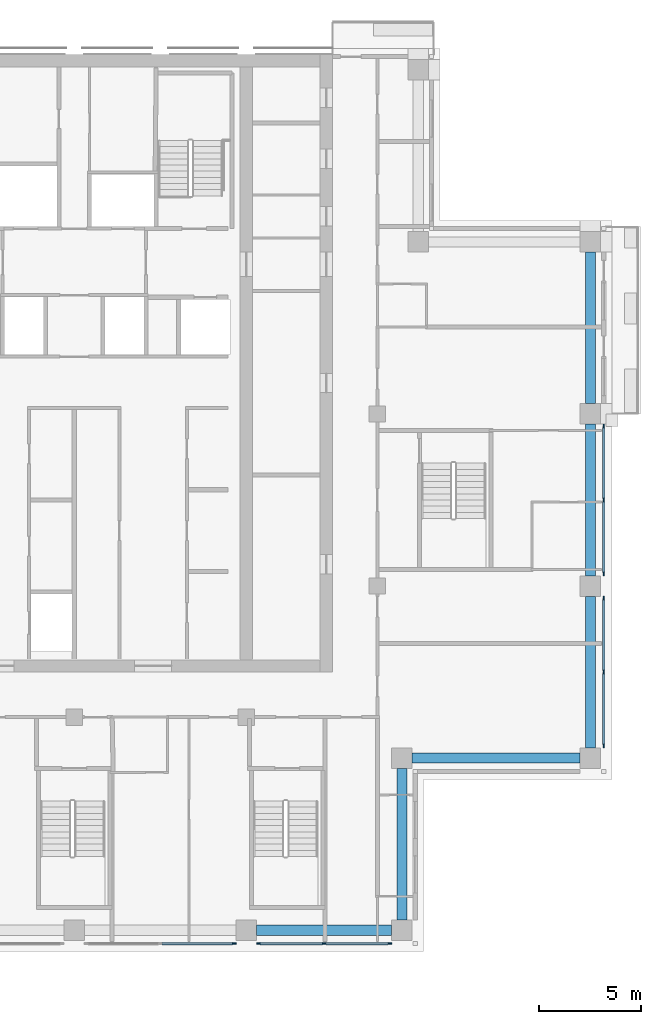
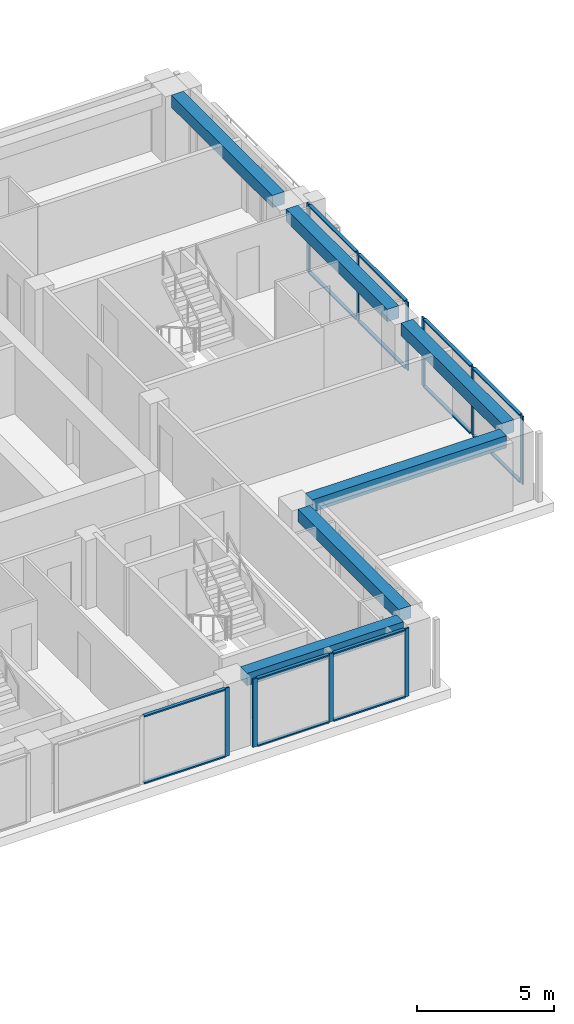
# One storey, part 5 of 16: 24 members, 6 beams, 4 elements without a shape of their own.
"""IFC4 building model written with IfcOpenShell, lengths in metres."""

from ifc_helpers import new_model, si_unit, direction, frame, origin, origin_2d, place, context, subcontext, project, spatial, rectangle, extrude, material, material_profile, profile_set, type_object, element, aggregate, save


model = new_model("IFC4")

# Units and contexts
model_context = context("Model", 3, precision=1e-05, world=origin(), true_north=direction((0.0, 1.0)))
body_context = subcontext(model_context, "Body", "Model", "MODEL_VIEW")
ifc_project = project(units=[si_unit("LENGTHUNIT", "METRE"), si_unit("AREAUNIT", "SQUARE_METRE"), si_unit("VOLUMEUNIT", "CUBIC_METRE"), si_unit("PLANEANGLEUNIT", "RADIAN"), si_unit("MASSUNIT", "GRAM", prefix="KILO")], contexts=[model_context])

# Site, building, storey
site_placement = place(None, origin())
site = spatial("IfcSite", under=ifc_project, at=site_placement, CompositionType="ELEMENT")
building_placement = place(site_placement, origin())
building = spatial("IfcBuilding", under=site, at=building_placement, Name="Vermilion Ogive Tower", CompositionType="ELEMENT")
storey_placement = place(building_placement, frame((0.0, 0.0, 182.449951171875)))
storey = spatial("IfcBuildingStorey", under=building, at=storey_placement, Name="L47", CompositionType="ELEMENT", Elevation=182.449951171875)

# Curtain wall, member
ifc_material_1 = material(Name="Low-iron laminated glazing in aluminium frame", Category="aluminium")
curtain_wall_type = type_object("IfcCurtainWallType", Name="Curtain wall CW7", PredefinedType="NOTDEFINED", material=ifc_material_1)
curtain_wall_1_placement = place(storey_placement, origin())
curtain_wall_1 = element("IfcCurtainWall", 1, at=curtain_wall_1_placement, inside=storey, type_object=curtain_wall_type, Name="Glazed skin S3", PredefinedType="NOTDEFINED")
ifc_material_2 = material(Name="Aluminium mullion", Category="aluminium")
ifc_material_profile_1 = material_profile(ifc_material_2, rectangle(XDim=0.06005859375, YDim=0.179931640625, at=origin_2d()), Name="AL 60x180")
ifc_profile_set_1 = profile_set([ifc_material_profile_1], Name="Aluminium mullion")
member_type_1 = type_object("IfcMemberType", Name="CW7 mullion 60x180", PredefinedType="MULLION", material=ifc_profile_set_1)
member_1_placement = place(storey_placement, frame((7.81005859375, -21.64990234375, 0.0), z_axis=(0.0, 0.0, 1.0), x_axis=(0.0, 1.0, 0.0)))
member_1 = element("IfcMember", 2, at=member_1_placement, type_object=member_type_1, Name="CW7-S3 mullion 3", PredefinedType="MULLION", context=body_context, shape_type="SweptSolid", body=[
    extrude(rectangle(XDim=0.06005859375, YDim=0.179931640625, at=origin_2d()), origin(), (0.0, 0.0, 1.0), 3.050048828125),
])

# Curtain wall, members
curtain_wall_2_placement = place(storey_placement, origin())
curtain_wall_2 = element("IfcCurtainWall", 3, at=curtain_wall_2_placement, inside=storey, type_object=curtain_wall_type, Name="Glazed skin S4", PredefinedType="NOTDEFINED")
member_2_placement = place(storey_placement, frame((8.989990234375, -21.64990234375, 0.0), z_axis=(0.0, 0.0, 1.0), x_axis=(0.0, 1.0, 0.0)))
member_2 = element("IfcMember", 4, at=member_2_placement, type_object=member_type_1, Name="CW7-S4 mullion 1", PredefinedType="MULLION", context=body_context, shape_type="SweptSolid", body=[
    extrude(rectangle(XDim=0.06005859375, YDim=0.179931640625, at=origin_2d()), origin(), (0.0, 0.0, 1.0), 3.050048828125),
])
member_3_placement = place(storey_placement, frame((12.199951171875, -21.64990234375, 0.0), z_axis=(0.0, 0.0, 1.0), x_axis=(0.0, 1.0, 0.0)))
member_3 = element("IfcMember", 5, at=member_3_placement, type_object=member_type_1, Name="CW7-S4 mullion 2", PredefinedType="MULLION", context=body_context, shape_type="SweptSolid", body=[
    extrude(rectangle(XDim=0.06005859375, YDim=0.179931640625, at=origin_2d()), origin(), (0.0, 0.0, 1.0), 3.050048828125),
])
member_4_placement = place(storey_placement, frame((15.409912109375, -21.64990234375, 0.0), z_axis=(0.0, 0.0, 1.0), x_axis=(0.0, 1.0, 0.0)))
member_4 = element("IfcMember", 6, at=member_4_placement, type_object=member_type_1, Name="CW7-S4 mullion 3", PredefinedType="MULLION", context=body_context, shape_type="SweptSolid", body=[
    extrude(rectangle(XDim=0.06005859375, YDim=0.179931640625, at=origin_2d()), origin(), (0.0, 0.0, 1.0), 3.050048828125),
])

curtain_wall_3_placement = place(storey_placement, origin())
curtain_wall_3 = element("IfcCurtainWall", 7, at=curtain_wall_3_placement, inside=storey, type_object=curtain_wall_type, Name="Glazed skin E1", PredefinedType="NOTDEFINED")
member_5_placement = place(storey_placement, frame((25.85009765625, -12.010009765625, 0.0), z_axis=(0.0, 0.0, 1.0), x_axis=(-1.0, 0.0, 0.0)))
member_5 = element("IfcMember", 8, at=member_5_placement, type_object=member_type_1, Name="CW7-E1 mullion 1", PredefinedType="MULLION", context=body_context, shape_type="SweptSolid", body=[
    extrude(rectangle(XDim=0.06005859375, YDim=0.179931640625, at=origin_2d()), origin(), (0.0, 0.0, 1.0), 3.050048828125),
])
member_6_placement = place(storey_placement, frame((25.85009765625, -8.39990234375, 0.0), z_axis=(0.0, 0.0, 1.0), x_axis=(-1.0, 0.0, 0.0)))
member_6 = element("IfcMember", 9, at=member_6_placement, type_object=member_type_1, Name="CW7-E1 mullion 2", PredefinedType="MULLION", context=body_context, shape_type="SweptSolid", body=[
    extrude(rectangle(XDim=0.06005859375, YDim=0.179931640625, at=origin_2d()), origin(), (0.0, 0.0, 1.0), 3.050048828125),
])
member_7_placement = place(storey_placement, frame((25.85009765625, -4.7900390625, 0.0), z_axis=(0.0, 0.0, 1.0), x_axis=(-1.0, 0.0, 0.0)))
member_7 = element("IfcMember", 10, at=member_7_placement, type_object=member_type_1, Name="CW7-E1 mullion 3", PredefinedType="MULLION", context=body_context, shape_type="SweptSolid", body=[
    extrude(rectangle(XDim=0.06005859375, YDim=0.179931640625, at=origin_2d()), origin(), (0.0, 0.0, 1.0), 3.050048828125),
])

curtain_wall_4_placement = place(storey_placement, origin())
curtain_wall_4 = element("IfcCurtainWall", 11, at=curtain_wall_4_placement, inside=storey, type_object=curtain_wall_type, Name="Glazed skin E2", PredefinedType="NOTDEFINED")
member_8_placement = place(storey_placement, frame((25.85009765625, -3.610107421875, 0.0), z_axis=(0.0, 0.0, 1.0), x_axis=(-1.0, 0.0, 0.0)))
member_8 = element("IfcMember", 12, at=member_8_placement, type_object=member_type_1, Name="CW7-E2 mullion 1", PredefinedType="MULLION", context=body_context, shape_type="SweptSolid", body=[
    extrude(rectangle(XDim=0.06005859375, YDim=0.179931640625, at=origin_2d()), origin(), (0.0, 0.0, 1.0), 3.050048828125),
])
member_9_placement = place(storey_placement, frame((25.85009765625, 0.0, 0.0), z_axis=(0.0, 0.0, 1.0), x_axis=(-1.0, 0.0, 0.0)))
member_9 = element("IfcMember", 13, at=member_9_placement, type_object=member_type_1, Name="CW7-E2 mullion 2", PredefinedType="MULLION", context=body_context, shape_type="SweptSolid", body=[
    extrude(rectangle(XDim=0.06005859375, YDim=0.179931640625, at=origin_2d()), origin(), (0.0, 0.0, 1.0), 3.050048828125),
])
member_10_placement = place(storey_placement, frame((25.85009765625, 3.610107421875, 0.0), z_axis=(0.0, 0.0, 1.0), x_axis=(-1.0, 0.0, 0.0)))
member_10 = element("IfcMember", 14, at=member_10_placement, type_object=member_type_1, Name="CW7-E2 mullion 3", PredefinedType="MULLION", context=body_context, shape_type="SweptSolid", body=[
    extrude(rectangle(XDim=0.06005859375, YDim=0.179931640625, at=origin_2d()), origin(), (0.0, 0.0, 1.0), 3.050048828125),
])

# Member
ifc_material_3 = material(Name="Aluminium transom", Category="aluminium")
ifc_material_profile_2 = material_profile(ifc_material_3, rectangle(XDim=0.139892578125, YDim=0.06005859375, at=origin_2d()), Name="AL 60x140")
ifc_profile_set_2 = profile_set([ifc_material_profile_2], Name="Aluminium transom")
member_type_2 = type_object("IfcMemberType", Name="CW7 transom 60x140", PredefinedType="USERDEFINED", material=ifc_profile_set_2)
member_11_placement = place(storey_placement, frame((4.2900390625, -21.64990234375, 0.030029296875), z_axis=(1.0, 0.0, 0.0), x_axis=(0.0, 1.0, 0.0)))
member_11 = element("IfcMember", 15, at=member_11_placement, type_object=member_type_2, Name="CW7-S3 transom 2.1", ObjectType="TRANSOM", PredefinedType="USERDEFINED", context=body_context, shape_type="SweptSolid", body=[
    extrude(rectangle(XDim=0.139892578125, YDim=0.06005859375, at=origin_2d()), origin(), (0.0, 0.0, 1.0), 3.429931640625),
])

member_12_placement = place(storey_placement, frame((4.2900390625, -21.64990234375, 3.02001953125), z_axis=(1.0, 0.0, 0.0), x_axis=(0.0, 1.0, 0.0)))
member_12 = element("IfcMember", 16, at=member_12_placement, type_object=member_type_2, Name="CW7-S3 transom 2.2", ObjectType="TRANSOM", PredefinedType="USERDEFINED", context=body_context, shape_type="SweptSolid", body=[
    extrude(rectangle(XDim=0.139892578125, YDim=0.06005859375, at=origin_2d()), origin(), (0.0, 0.0, 1.0), 3.429931640625),
])

aggregate(curtain_wall_1, [member_1, member_11, member_12])

member_13_placement = place(storey_placement, frame((9.080078125, -21.64990234375, 0.030029296875), z_axis=(1.0, 0.0, 0.0), x_axis=(0.0, 1.0, 0.0)))
member_13 = element("IfcMember", 17, at=member_13_placement, type_object=member_type_2, Name="CW7-S4 transom 1.1", ObjectType="TRANSOM", PredefinedType="USERDEFINED", context=body_context, shape_type="SweptSolid", body=[
    extrude(rectangle(XDim=0.139892578125, YDim=0.06005859375, at=origin_2d()), origin(), (0.0, 0.0, 1.0), 3.030029296875),
])

member_14_placement = place(storey_placement, frame((9.080078125, -21.64990234375, 3.02001953125), z_axis=(1.0, 0.0, 0.0), x_axis=(0.0, 1.0, 0.0)))
member_14 = element("IfcMember", 18, at=member_14_placement, type_object=member_type_2, Name="CW7-S4 transom 1.2", ObjectType="TRANSOM", PredefinedType="USERDEFINED", context=body_context, shape_type="SweptSolid", body=[
    extrude(rectangle(XDim=0.139892578125, YDim=0.06005859375, at=origin_2d()), origin(), (0.0, 0.0, 1.0), 3.030029296875),
])

member_15_placement = place(storey_placement, frame((12.2900390625, -21.64990234375, 0.030029296875), z_axis=(1.0, 0.0, 0.0), x_axis=(0.0, 1.0, 0.0)))
member_15 = element("IfcMember", 19, at=member_15_placement, type_object=member_type_2, Name="CW7-S4 transom 2.1", ObjectType="TRANSOM", PredefinedType="USERDEFINED", context=body_context, shape_type="SweptSolid", body=[
    extrude(rectangle(XDim=0.139892578125, YDim=0.06005859375, at=origin_2d()), origin(), (0.0, 0.0, 1.0), 3.030029296875),
])

member_16_placement = place(storey_placement, frame((12.2900390625, -21.64990234375, 3.02001953125), z_axis=(1.0, 0.0, 0.0), x_axis=(0.0, 1.0, 0.0)))
member_16 = element("IfcMember", 20, at=member_16_placement, type_object=member_type_2, Name="CW7-S4 transom 2.2", ObjectType="TRANSOM", PredefinedType="USERDEFINED", context=body_context, shape_type="SweptSolid", body=[
    extrude(rectangle(XDim=0.139892578125, YDim=0.06005859375, at=origin_2d()), origin(), (0.0, 0.0, 1.0), 3.030029296875),
])

aggregate(curtain_wall_2, [member_2, member_3, member_4, member_13, member_14, member_15, member_16])

member_17_placement = place(storey_placement, frame((25.85009765625, -11.919921875, 0.030029296875), z_axis=(0.0, 1.0, 0.0), x_axis=(-1.0, 0.0, 0.0)))
member_17 = element("IfcMember", 21, at=member_17_placement, type_object=member_type_2, Name="CW7-E1 transom 1.1", ObjectType="TRANSOM", PredefinedType="USERDEFINED", context=body_context, shape_type="SweptSolid", body=[
    extrude(rectangle(XDim=0.139892578125, YDim=0.06005859375, at=origin_2d()), origin(), (0.0, 0.0, 1.0), 3.429931640625),
])

member_18_placement = place(storey_placement, frame((25.85009765625, -11.919921875, 3.02001953125), z_axis=(0.0, 1.0, 0.0), x_axis=(-1.0, 0.0, 0.0)))
member_18 = element("IfcMember", 22, at=member_18_placement, type_object=member_type_2, Name="CW7-E1 transom 1.2", ObjectType="TRANSOM", PredefinedType="USERDEFINED", context=body_context, shape_type="SweptSolid", body=[
    extrude(rectangle(XDim=0.139892578125, YDim=0.06005859375, at=origin_2d()), origin(), (0.0, 0.0, 1.0), 3.429931640625),
])

member_19_placement = place(storey_placement, frame((25.85009765625, -8.31005859375, 0.030029296875), z_axis=(0.0, 1.0, 0.0), x_axis=(-1.0, 0.0, 0.0)))
member_19 = element("IfcMember", 23, at=member_19_placement, type_object=member_type_2, Name="CW7-E1 transom 2.1", ObjectType="TRANSOM", PredefinedType="USERDEFINED", context=body_context, shape_type="SweptSolid", body=[
    extrude(rectangle(XDim=0.139892578125, YDim=0.06005859375, at=origin_2d()), origin(), (0.0, 0.0, 1.0), 3.43017578125),
])

member_20_placement = place(storey_placement, frame((25.85009765625, -8.31005859375, 3.02001953125), z_axis=(0.0, 1.0, 0.0), x_axis=(-1.0, 0.0, 0.0)))
member_20 = element("IfcMember", 24, at=member_20_placement, type_object=member_type_2, Name="CW7-E1 transom 2.2", ObjectType="TRANSOM", PredefinedType="USERDEFINED", context=body_context, shape_type="SweptSolid", body=[
    extrude(rectangle(XDim=0.139892578125, YDim=0.06005859375, at=origin_2d()), origin(), (0.0, 0.0, 1.0), 3.43017578125),
])

aggregate(curtain_wall_3, [member_5, member_6, member_7, member_17, member_18, member_19, member_20])

member_21_placement = place(storey_placement, frame((25.85009765625, -3.52001953125, 0.030029296875), z_axis=(0.0, 1.0, 0.0), x_axis=(-1.0, 0.0, 0.0)))
member_21 = element("IfcMember", 25, at=member_21_placement, type_object=member_type_2, Name="CW7-E2 transom 1.1", ObjectType="TRANSOM", PredefinedType="USERDEFINED", context=body_context, shape_type="SweptSolid", body=[
    extrude(rectangle(XDim=0.139892578125, YDim=0.06005859375, at=origin_2d()), origin(), (0.0, 0.0, 1.0), 3.429931640625),
])

member_22_placement = place(storey_placement, frame((25.85009765625, -3.52001953125, 3.02001953125), z_axis=(0.0, 1.0, 0.0), x_axis=(-1.0, 0.0, 0.0)))
member_22 = element("IfcMember", 26, at=member_22_placement, type_object=member_type_2, Name="CW7-E2 transom 1.2", ObjectType="TRANSOM", PredefinedType="USERDEFINED", context=body_context, shape_type="SweptSolid", body=[
    extrude(rectangle(XDim=0.139892578125, YDim=0.06005859375, at=origin_2d()), origin(), (0.0, 0.0, 1.0), 3.429931640625),
])

member_23_placement = place(storey_placement, frame((25.85009765625, 0.090087890625, 0.030029296875), z_axis=(0.0, 1.0, 0.0), x_axis=(-1.0, 0.0, 0.0)))
member_23 = element("IfcMember", 27, at=member_23_placement, type_object=member_type_2, Name="CW7-E2 transom 2.1", ObjectType="TRANSOM", PredefinedType="USERDEFINED", context=body_context, shape_type="SweptSolid", body=[
    extrude(rectangle(XDim=0.139892578125, YDim=0.06005859375, at=origin_2d()), origin(), (0.0, 0.0, 1.0), 3.429931640625),
])

member_24_placement = place(storey_placement, frame((25.85009765625, 0.090087890625, 3.02001953125), z_axis=(0.0, 1.0, 0.0), x_axis=(-1.0, 0.0, 0.0)))
member_24 = element("IfcMember", 28, at=member_24_placement, type_object=member_type_2, Name="CW7-E2 transom 2.2", ObjectType="TRANSOM", PredefinedType="USERDEFINED", context=body_context, shape_type="SweptSolid", body=[
    extrude(rectangle(XDim=0.139892578125, YDim=0.06005859375, at=origin_2d()), origin(), (0.0, 0.0, 1.0), 3.429931640625),
])

aggregate(curtain_wall_4, [member_8, member_9, member_10, member_21, member_22, member_23, member_24])

# Beams
ifc_material_4 = material(Name="Concrete B45", Category="concrete")
ifc_material_profile_3 = material_profile(ifc_material_4, rectangle(XDim=0.5, YDim=0.550048828125, at=origin_2d()), Name="500 x 550")
ifc_profile_set_3 = profile_set([ifc_material_profile_3], Name="Concrete B45")
beam_type = type_object("IfcBeamType", Name="Edge beam 500 x 550 B45", PredefinedType="BEAM", material=ifc_profile_set_3)
beam_1_placement = place(storey_placement, frame((8.89990234375, -21.0, 2.775146484375), z_axis=(1.0, 0.0, 0.0), x_axis=(0.0, 1.0, 0.0)))
element("IfcBeam", 29, at=beam_1_placement, inside=storey, type_object=beam_type, Name="L47-EB-4", PredefinedType="BEAM", context=body_context, shape_type="SweptSolid", body=[
    extrude(rectangle(XDim=0.5, YDim=0.550048828125, at=origin_2d()), origin(), (0.0, 0.0, 1.0), 6.60009765625),
])
beam_2_placement = place(storey_placement, frame((16.0, -20.5, 2.775146484375), z_axis=(0.0, 1.0, 0.0), x_axis=(-1.0, 0.0, 0.0)))
element("IfcBeam", 30, at=beam_2_placement, inside=storey, type_object=beam_type, Name="L47-EB-5", PredefinedType="BEAM", context=body_context, shape_type="SweptSolid", body=[
    extrude(rectangle(XDim=0.5, YDim=0.550048828125, at=origin_2d()), origin(), (0.0, 0.0, 1.0), 7.39990234375),
])
beam_3_placement = place(storey_placement, frame((16.5, -12.60009765625, 2.775146484375), z_axis=(1.0, 0.0, 0.0), x_axis=(0.0, 1.0, 0.0)))
element("IfcBeam", 31, at=beam_3_placement, inside=storey, type_object=beam_type, Name="L47-EB-6", PredefinedType="BEAM", context=body_context, shape_type="SweptSolid", body=[
    extrude(rectangle(XDim=0.5, YDim=0.550048828125, at=origin_2d()), origin(), (0.0, 0.0, 1.0), 8.199951171875),
])
beam_4_placement = place(storey_placement, frame((25.199951171875, -12.10009765625, 2.775146484375), z_axis=(0.0, 1.0, 0.0), x_axis=(-1.0, 0.0, 0.0)))
element("IfcBeam", 32, at=beam_4_placement, inside=storey, type_object=beam_type, Name="L47-EB-7", PredefinedType="BEAM", context=body_context, shape_type="SweptSolid", body=[
    extrude(rectangle(XDim=0.5, YDim=0.550048828125, at=origin_2d()), origin(), (0.0, 0.0, 1.0), 7.400146484375),
])
beam_5_placement = place(storey_placement, frame((25.199951171875, -3.699951171875, 2.775146484375), z_axis=(0.0, 1.0, 0.0), x_axis=(-1.0, 0.0, 0.0)))
element("IfcBeam", 33, at=beam_5_placement, inside=storey, type_object=beam_type, Name="L47-EB-8", PredefinedType="BEAM", context=body_context, shape_type="SweptSolid", body=[
    extrude(rectangle(XDim=0.5, YDim=0.550048828125, at=origin_2d()), origin(), (0.0, 0.0, 1.0), 7.39990234375),
])
beam_6_placement = place(storey_placement, frame((25.199951171875, 4.699951171875, 2.775146484375), z_axis=(0.0, 1.0, 0.0), x_axis=(-1.0, 0.0, 0.0)))
element("IfcBeam", 34, at=beam_6_placement, inside=storey, type_object=beam_type, Name="L47-EB-9", PredefinedType="BEAM", context=body_context, shape_type="SweptSolid", body=[
    extrude(rectangle(XDim=0.5, YDim=0.550048828125, at=origin_2d()), origin(), (0.0, 0.0, 1.0), 7.400146484375),
])

save(model, "model.ifc")
